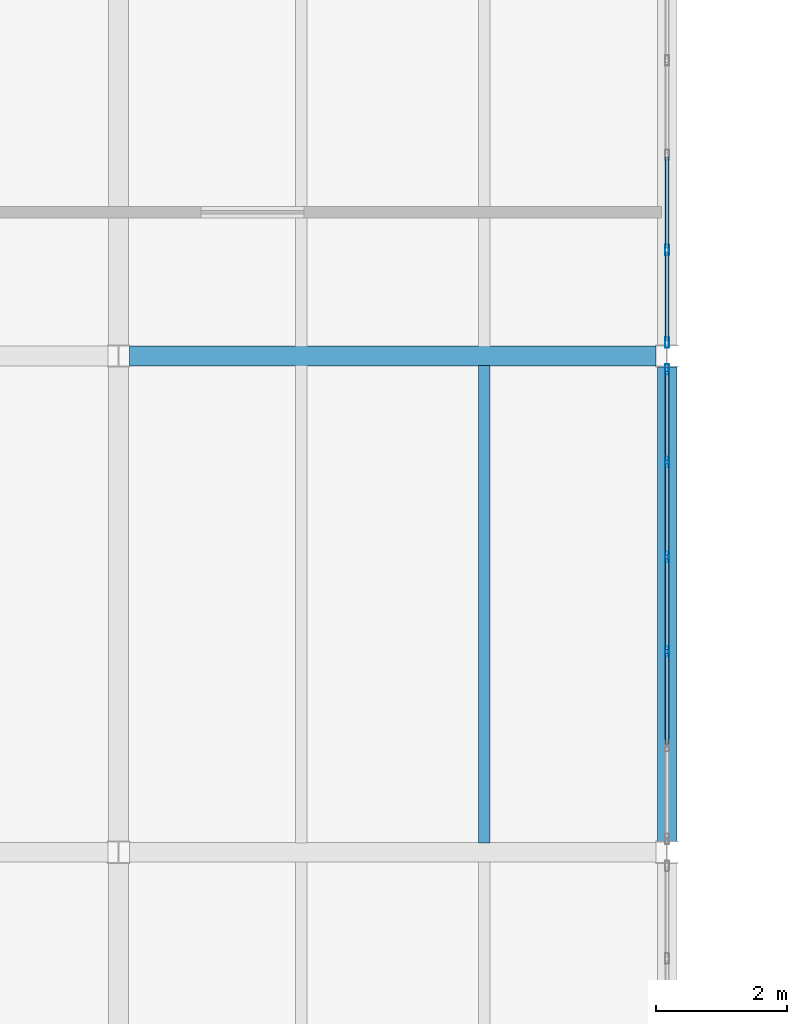
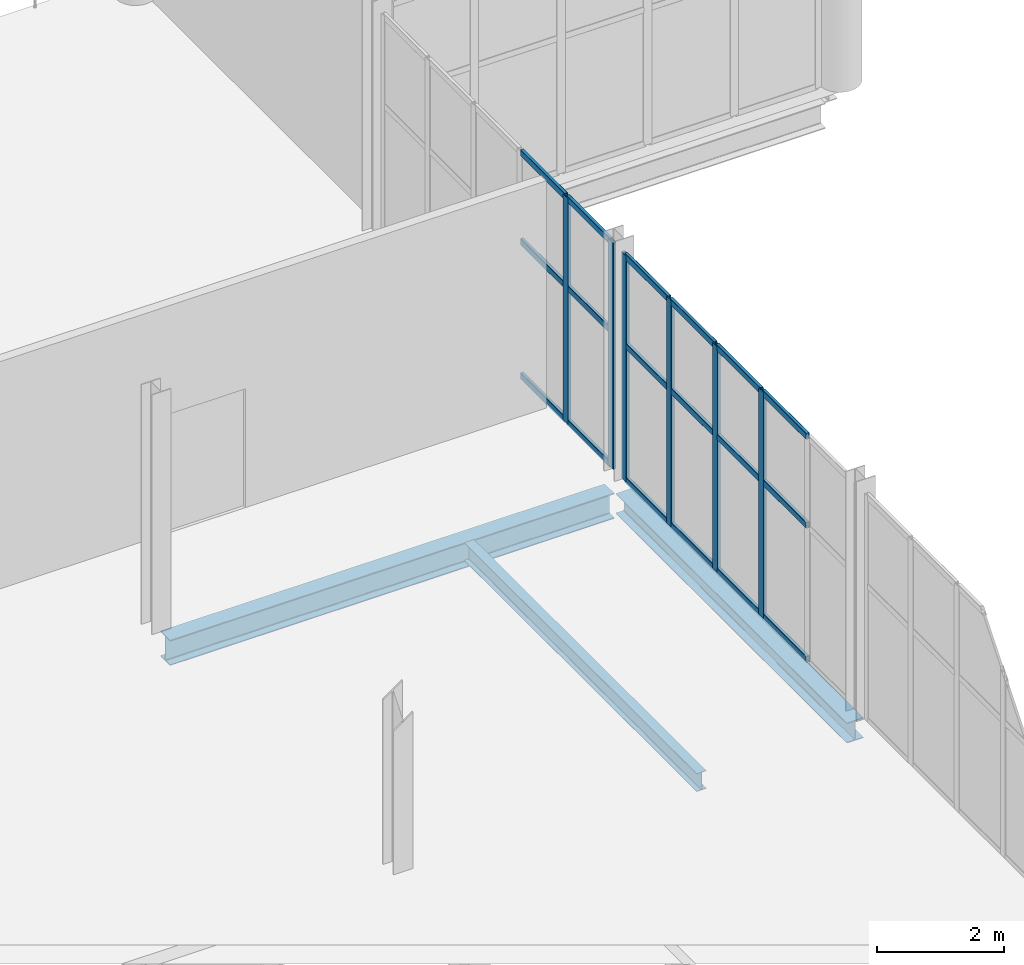
# One storey, part 15 of 74: 24 members, 3 beams, 2 elements without a shape of their own.
"""IFC4 building model written with IfcOpenShell, lengths in metres."""

from ifc_helpers import new_model, si_unit, direction, frame, origin, origin_2d, place, context, subcontext, project, spatial, hollow_rectangle, i_section, extrude, material, material_profile, profile_set, type_object, element, aggregate, save


model = new_model("IFC4")

# Units and contexts
model_context = context("Model", 3, precision=1e-05, world=origin(), true_north=direction((0.0, 1.0)))
body_context = subcontext(model_context, "Body", "Model", "MODEL_VIEW")
ifc_project = project(units=[si_unit("LENGTHUNIT", "METRE"), si_unit("AREAUNIT", "SQUARE_METRE"), si_unit("VOLUMEUNIT", "CUBIC_METRE"), si_unit("PLANEANGLEUNIT", "RADIAN"), si_unit("MASSUNIT", "GRAM", prefix="KILO")], contexts=[model_context])

# Site, building, storey
site_placement = place(None, origin())
site = spatial("IfcSite", under=ifc_project, at=site_placement, CompositionType="ELEMENT")
building_placement = place(site_placement, origin())
building = spatial("IfcBuilding", under=site, at=building_placement, Name="Shengluoqiao Park Theatre", CompositionType="ELEMENT")
storey_placement = place(building_placement, frame((0.0, 0.0, 14.60009765625)))
storey = spatial("IfcBuildingStorey", under=building, at=storey_placement, Name="L03", CompositionType="ELEMENT", Elevation=14.60009765625)

# Curtain wall, members
ifc_material_1 = material(Name="Aluminium 6063-T6", Category="aluminium")
curtain_wall_type = type_object("IfcCurtainWallType", Name="ENV-CW-COURT", PredefinedType="NOTDEFINED", material=ifc_material_1)
curtain_wall_1_placement = place(storey_placement, origin())
curtain_wall_1 = element("IfcCurtainWall", 1, at=curtain_wall_1_placement, inside=storey, type_object=curtain_wall_type, Name="L03 Curtain Wall CWX-L03-0034", PredefinedType="NOTDEFINED")
ifc_material_profile_1 = material_profile(ifc_material_1, hollow_rectangle(XDim=0.06005859375, YDim=0.159912109375, WallThickness=0.00390625, InnerFilletRadius=0.00390625, OuterFilletRadius=0.008056640625, at=origin_2d()), Name="ALU MULLION 160x60x4")
ifc_profile_set_1 = profile_set([ifc_material_profile_1], Name="Aluminium 6063-T6")
member_type_1 = type_object("IfcMemberType", Name="ENV-MUL-160", PredefinedType="MULLION", material=ifc_profile_set_1)
member_1_placement = place(storey_placement, frame((36.0, 41.0751953125, 0.0), z_axis=(0.0, 0.0, 1.0), x_axis=(-1.0, 0.0, 0.0)))
member_1 = element("IfcMember", 2, at=member_1_placement, type_object=member_type_1, Name="CW-05 mullion 3", PredefinedType="MULLION", context=body_context, shape_type="SweptSolid", body=[
    extrude(hollow_rectangle(XDim=0.06005859375, YDim=0.159912109375, WallThickness=0.00390625, InnerFilletRadius=0.00390625, OuterFilletRadius=0.008056640625, at=origin_2d()), origin(), (0.0, 0.0, 1.0), 4.33984375),
])
member_2_placement = place(storey_placement, frame((36.0, 42.52490234375, 0.0), z_axis=(0.0, 0.0, 1.0), x_axis=(-1.0, 0.0, 0.0)))
member_2 = element("IfcMember", 3, at=member_2_placement, type_object=member_type_1, Name="CW-05 mullion 4", PredefinedType="MULLION", context=body_context, shape_type="SweptSolid", body=[
    extrude(hollow_rectangle(XDim=0.06005859375, YDim=0.159912109375, WallThickness=0.00390625, InnerFilletRadius=0.00390625, OuterFilletRadius=0.008056640625, at=origin_2d()), origin(), (0.0, 0.0, 1.0), 4.33984375),
])
member_3_placement = place(storey_placement, frame((36.0, 43.974365234375, 0.0), z_axis=(0.0, 0.0, 1.0), x_axis=(-1.0, 0.0, 0.0)))
member_3 = element("IfcMember", 4, at=member_3_placement, type_object=member_type_1, Name="CW-05 mullion 5", PredefinedType="MULLION", context=body_context, shape_type="SweptSolid", body=[
    extrude(hollow_rectangle(XDim=0.06005859375, YDim=0.159912109375, WallThickness=0.00390625, InnerFilletRadius=0.00390625, OuterFilletRadius=0.008056640625, at=origin_2d()), origin(), (0.0, 0.0, 1.0), 4.33984375),
])
member_4_placement = place(storey_placement, frame((36.0, 45.39404296875, 0.0), z_axis=(0.0, 0.0, 1.0), x_axis=(-1.0, 0.0, 0.0)))
member_4 = element("IfcMember", 5, at=member_4_placement, type_object=member_type_1, Name="CW-05 mullion 6", PredefinedType="MULLION", context=body_context, shape_type="SweptSolid", body=[
    extrude(hollow_rectangle(XDim=0.06005859375, YDim=0.159912109375, WallThickness=0.00390625, InnerFilletRadius=0.00390625, OuterFilletRadius=0.008056640625, at=origin_2d()), origin(), (0.0, 0.0, 1.0), 4.33984375),
])

curtain_wall_2_placement = place(storey_placement, origin())
curtain_wall_2 = element("IfcCurtainWall", 6, at=curtain_wall_2_placement, inside=storey, type_object=curtain_wall_type, Name="L03 Curtain Wall CWX-L03-0035", PredefinedType="NOTDEFINED")
member_5_placement = place(storey_placement, frame((36.0, 45.805908203125, 0.0), z_axis=(0.0, 0.0, 1.0), x_axis=(-1.0, 0.0, 0.0)))
member_5 = element("IfcMember", 7, at=member_5_placement, type_object=member_type_1, Name="CW-05 mullion 1", PredefinedType="MULLION", context=body_context, shape_type="SweptSolid", body=[
    extrude(hollow_rectangle(XDim=0.06005859375, YDim=0.159912109375, WallThickness=0.00390625, InnerFilletRadius=0.00390625, OuterFilletRadius=0.008056640625, at=origin_2d()), origin(), (0.0, 0.0, 1.0), 4.33984375),
])
member_6_placement = place(storey_placement, frame((36.0, 47.2255859375, 0.0), z_axis=(0.0, 0.0, 1.0), x_axis=(-1.0, 0.0, 0.0)))
member_6 = element("IfcMember", 8, at=member_6_placement, type_object=member_type_1, Name="CW-05 mullion 2", PredefinedType="MULLION", context=body_context, shape_type="SweptSolid", body=[
    extrude(hollow_rectangle(XDim=0.06005859375, YDim=0.159912109375, WallThickness=0.00390625, InnerFilletRadius=0.00390625, OuterFilletRadius=0.008056640625, at=origin_2d()), origin(), (0.0, 0.0, 1.0), 4.33984375),
])

# Member
ifc_material_profile_2 = material_profile(ifc_material_1, hollow_rectangle(XDim=0.06005859375, YDim=0.1201171875, WallThickness=0.00390625, InnerFilletRadius=0.00390625, OuterFilletRadius=0.008056640625, at=origin_2d()), Name="ALU TRANSOM 120x60x4")
ifc_profile_set_2 = profile_set([ifc_material_profile_2], Name="Aluminium 6063-T6")
member_type_2 = type_object("IfcMemberType", Name="ENV-TRN-120", PredefinedType="USERDEFINED", material=ifc_profile_set_2)
member_7_placement = place(storey_placement, frame((36.0, 39.655517578125, 0.02978515625), z_axis=(0.0, 1.0, 0.0), x_axis=(-1.0, 0.0, 0.0)))
member_7 = element("IfcMember", 9, at=member_7_placement, type_object=member_type_2, Name="CW-05 transom 2.1", ObjectType="TRANSOM", PredefinedType="USERDEFINED", context=body_context, shape_type="SweptSolid", body=[
    extrude(hollow_rectangle(XDim=0.06005859375, YDim=0.1201171875, WallThickness=0.00390625, InnerFilletRadius=0.00390625, OuterFilletRadius=0.008056640625, at=origin_2d()), origin(), (0.0, 0.0, 1.0), 1.3896484375),
])

member_8_placement = place(storey_placement, frame((36.0, 39.655517578125, 2.60400390625), z_axis=(0.0, 1.0, 0.0), x_axis=(-1.0, 0.0, 0.0)))
member_8 = element("IfcMember", 10, at=member_8_placement, type_object=member_type_2, Name="CW-05 transom 2.2", ObjectType="TRANSOM", PredefinedType="USERDEFINED", context=body_context, shape_type="SweptSolid", body=[
    extrude(hollow_rectangle(XDim=0.06005859375, YDim=0.1201171875, WallThickness=0.00390625, InnerFilletRadius=0.00390625, OuterFilletRadius=0.008056640625, at=origin_2d()), origin(), (0.0, 0.0, 1.0), 1.3896484375),
])

member_9_placement = place(storey_placement, frame((36.0, 39.655517578125, 4.309814453125), z_axis=(0.0, 1.0, 0.0), x_axis=(-1.0, 0.0, 0.0)))
member_9 = element("IfcMember", 11, at=member_9_placement, type_object=member_type_2, Name="CW-05 transom 2.3", ObjectType="TRANSOM", PredefinedType="USERDEFINED", context=body_context, shape_type="SweptSolid", body=[
    extrude(hollow_rectangle(XDim=0.06005859375, YDim=0.1201171875, WallThickness=0.00390625, InnerFilletRadius=0.00390625, OuterFilletRadius=0.008056640625, at=origin_2d()), origin(), (0.0, 0.0, 1.0), 1.3896484375),
])

member_10_placement = place(storey_placement, frame((36.0, 41.105224609375, 0.02978515625), z_axis=(0.0, 1.0, 0.0), x_axis=(-1.0, 0.0, 0.0)))
member_10 = element("IfcMember", 12, at=member_10_placement, type_object=member_type_2, Name="CW-05 transom 3.1", ObjectType="TRANSOM", PredefinedType="USERDEFINED", context=body_context, shape_type="SweptSolid", body=[
    extrude(hollow_rectangle(XDim=0.06005859375, YDim=0.1201171875, WallThickness=0.00390625, InnerFilletRadius=0.00390625, OuterFilletRadius=0.008056640625, at=origin_2d()), origin(), (0.0, 0.0, 1.0), 1.3896484375),
])

member_11_placement = place(storey_placement, frame((36.0, 41.105224609375, 2.60400390625), z_axis=(0.0, 1.0, 0.0), x_axis=(-1.0, 0.0, 0.0)))
member_11 = element("IfcMember", 13, at=member_11_placement, type_object=member_type_2, Name="CW-05 transom 3.2", ObjectType="TRANSOM", PredefinedType="USERDEFINED", context=body_context, shape_type="SweptSolid", body=[
    extrude(hollow_rectangle(XDim=0.06005859375, YDim=0.1201171875, WallThickness=0.00390625, InnerFilletRadius=0.00390625, OuterFilletRadius=0.008056640625, at=origin_2d()), origin(), (0.0, 0.0, 1.0), 1.3896484375),
])

member_12_placement = place(storey_placement, frame((36.0, 41.105224609375, 4.309814453125), z_axis=(0.0, 1.0, 0.0), x_axis=(-1.0, 0.0, 0.0)))
member_12 = element("IfcMember", 14, at=member_12_placement, type_object=member_type_2, Name="CW-05 transom 3.3", ObjectType="TRANSOM", PredefinedType="USERDEFINED", context=body_context, shape_type="SweptSolid", body=[
    extrude(hollow_rectangle(XDim=0.06005859375, YDim=0.1201171875, WallThickness=0.00390625, InnerFilletRadius=0.00390625, OuterFilletRadius=0.008056640625, at=origin_2d()), origin(), (0.0, 0.0, 1.0), 1.3896484375),
])

member_13_placement = place(storey_placement, frame((36.0, 42.5546875, 0.02978515625), z_axis=(0.0, 1.0, 0.0), x_axis=(-1.0, 0.0, 0.0)))
member_13 = element("IfcMember", 15, at=member_13_placement, type_object=member_type_2, Name="CW-05 transom 4.1", ObjectType="TRANSOM", PredefinedType="USERDEFINED", context=body_context, shape_type="SweptSolid", body=[
    extrude(hollow_rectangle(XDim=0.06005859375, YDim=0.1201171875, WallThickness=0.00390625, InnerFilletRadius=0.00390625, OuterFilletRadius=0.008056640625, at=origin_2d()), origin(), (0.0, 0.0, 1.0), 1.3896484375),
])

member_14_placement = place(storey_placement, frame((36.0, 42.5546875, 2.60400390625), z_axis=(0.0, 1.0, 0.0), x_axis=(-1.0, 0.0, 0.0)))
member_14 = element("IfcMember", 16, at=member_14_placement, type_object=member_type_2, Name="CW-05 transom 4.2", ObjectType="TRANSOM", PredefinedType="USERDEFINED", context=body_context, shape_type="SweptSolid", body=[
    extrude(hollow_rectangle(XDim=0.06005859375, YDim=0.1201171875, WallThickness=0.00390625, InnerFilletRadius=0.00390625, OuterFilletRadius=0.008056640625, at=origin_2d()), origin(), (0.0, 0.0, 1.0), 1.3896484375),
])

member_15_placement = place(storey_placement, frame((36.0, 42.5546875, 4.309814453125), z_axis=(0.0, 1.0, 0.0), x_axis=(-1.0, 0.0, 0.0)))
member_15 = element("IfcMember", 17, at=member_15_placement, type_object=member_type_2, Name="CW-05 transom 4.3", ObjectType="TRANSOM", PredefinedType="USERDEFINED", context=body_context, shape_type="SweptSolid", body=[
    extrude(hollow_rectangle(XDim=0.06005859375, YDim=0.1201171875, WallThickness=0.00390625, InnerFilletRadius=0.00390625, OuterFilletRadius=0.008056640625, at=origin_2d()), origin(), (0.0, 0.0, 1.0), 1.3896484375),
])

member_16_placement = place(storey_placement, frame((36.0, 44.00439453125, 0.02978515625), z_axis=(0.0, 1.0, 0.0), x_axis=(-1.0, 0.0, 0.0)))
member_16 = element("IfcMember", 18, at=member_16_placement, type_object=member_type_2, Name="CW-05 transom 5.1", ObjectType="TRANSOM", PredefinedType="USERDEFINED", context=body_context, shape_type="SweptSolid", body=[
    extrude(hollow_rectangle(XDim=0.06005859375, YDim=0.1201171875, WallThickness=0.00390625, InnerFilletRadius=0.00390625, OuterFilletRadius=0.008056640625, at=origin_2d()), origin(), (0.0, 0.0, 1.0), 1.359619140625),
])

member_17_placement = place(storey_placement, frame((36.0, 44.00439453125, 2.60400390625), z_axis=(0.0, 1.0, 0.0), x_axis=(-1.0, 0.0, 0.0)))
member_17 = element("IfcMember", 19, at=member_17_placement, type_object=member_type_2, Name="CW-05 transom 5.2", ObjectType="TRANSOM", PredefinedType="USERDEFINED", context=body_context, shape_type="SweptSolid", body=[
    extrude(hollow_rectangle(XDim=0.06005859375, YDim=0.1201171875, WallThickness=0.00390625, InnerFilletRadius=0.00390625, OuterFilletRadius=0.008056640625, at=origin_2d()), origin(), (0.0, 0.0, 1.0), 1.359619140625),
])

member_18_placement = place(storey_placement, frame((36.0, 44.00439453125, 4.309814453125), z_axis=(0.0, 1.0, 0.0), x_axis=(-1.0, 0.0, 0.0)))
member_18 = element("IfcMember", 20, at=member_18_placement, type_object=member_type_2, Name="CW-05 transom 5.3", ObjectType="TRANSOM", PredefinedType="USERDEFINED", context=body_context, shape_type="SweptSolid", body=[
    extrude(hollow_rectangle(XDim=0.06005859375, YDim=0.1201171875, WallThickness=0.00390625, InnerFilletRadius=0.00390625, OuterFilletRadius=0.008056640625, at=origin_2d()), origin(), (0.0, 0.0, 1.0), 1.359619140625),
])

aggregate(curtain_wall_1, [member_1, member_2, member_3, member_4, member_7, member_8, member_9, member_10, member_11, member_12, member_13, member_14, member_15, member_16, member_17, member_18])

member_19_placement = place(storey_placement, frame((36.0, 45.8359375, 0.02978515625), z_axis=(0.0, 1.0, 0.0), x_axis=(-1.0, 0.0, 0.0)))
member_19 = element("IfcMember", 21, at=member_19_placement, type_object=member_type_2, Name="CW-05 transom 1.1", ObjectType="TRANSOM", PredefinedType="USERDEFINED", context=body_context, shape_type="SweptSolid", body=[
    extrude(hollow_rectangle(XDim=0.06005859375, YDim=0.1201171875, WallThickness=0.00390625, InnerFilletRadius=0.00390625, OuterFilletRadius=0.008056640625, at=origin_2d()), origin(), (0.0, 0.0, 1.0), 1.359619140625),
])

member_20_placement = place(storey_placement, frame((36.0, 45.8359375, 2.60400390625), z_axis=(0.0, 1.0, 0.0), x_axis=(-1.0, 0.0, 0.0)))
member_20 = element("IfcMember", 22, at=member_20_placement, type_object=member_type_2, Name="CW-05 transom 1.2", ObjectType="TRANSOM", PredefinedType="USERDEFINED", context=body_context, shape_type="SweptSolid", body=[
    extrude(hollow_rectangle(XDim=0.06005859375, YDim=0.1201171875, WallThickness=0.00390625, InnerFilletRadius=0.00390625, OuterFilletRadius=0.008056640625, at=origin_2d()), origin(), (0.0, 0.0, 1.0), 1.359619140625),
])

member_21_placement = place(storey_placement, frame((36.0, 45.8359375, 4.309814453125), z_axis=(0.0, 1.0, 0.0), x_axis=(-1.0, 0.0, 0.0)))
member_21 = element("IfcMember", 23, at=member_21_placement, type_object=member_type_2, Name="CW-05 transom 1.3", ObjectType="TRANSOM", PredefinedType="USERDEFINED", context=body_context, shape_type="SweptSolid", body=[
    extrude(hollow_rectangle(XDim=0.06005859375, YDim=0.1201171875, WallThickness=0.00390625, InnerFilletRadius=0.00390625, OuterFilletRadius=0.008056640625, at=origin_2d()), origin(), (0.0, 0.0, 1.0), 1.359619140625),
])

member_22_placement = place(storey_placement, frame((36.0, 47.255615234375, 0.02978515625), z_axis=(0.0, 1.0, 0.0), x_axis=(-1.0, 0.0, 0.0)))
member_22 = element("IfcMember", 24, at=member_22_placement, type_object=member_type_2, Name="CW-05 transom 2.1", ObjectType="TRANSOM", PredefinedType="USERDEFINED", context=body_context, shape_type="SweptSolid", body=[
    extrude(hollow_rectangle(XDim=0.06005859375, YDim=0.1201171875, WallThickness=0.00390625, InnerFilletRadius=0.00390625, OuterFilletRadius=0.008056640625, at=origin_2d()), origin(), (0.0, 0.0, 1.0), 1.3896484375),
])

member_23_placement = place(storey_placement, frame((36.0, 47.255615234375, 2.60400390625), z_axis=(0.0, 1.0, 0.0), x_axis=(-1.0, 0.0, 0.0)))
member_23 = element("IfcMember", 25, at=member_23_placement, type_object=member_type_2, Name="CW-05 transom 2.2", ObjectType="TRANSOM", PredefinedType="USERDEFINED", context=body_context, shape_type="SweptSolid", body=[
    extrude(hollow_rectangle(XDim=0.06005859375, YDim=0.1201171875, WallThickness=0.00390625, InnerFilletRadius=0.00390625, OuterFilletRadius=0.008056640625, at=origin_2d()), origin(), (0.0, 0.0, 1.0), 1.3896484375),
])

member_24_placement = place(storey_placement, frame((36.0, 47.255615234375, 4.309814453125), z_axis=(0.0, 1.0, 0.0), x_axis=(-1.0, 0.0, 0.0)))
member_24 = element("IfcMember", 26, at=member_24_placement, type_object=member_type_2, Name="CW-05 transom 2.3", ObjectType="TRANSOM", PredefinedType="USERDEFINED", context=body_context, shape_type="SweptSolid", body=[
    extrude(hollow_rectangle(XDim=0.06005859375, YDim=0.1201171875, WallThickness=0.00390625, InnerFilletRadius=0.00390625, OuterFilletRadius=0.008056640625, at=origin_2d()), origin(), (0.0, 0.0, 1.0), 1.3896484375),
])

aggregate(curtain_wall_2, [member_5, member_6, member_19, member_20, member_21, member_22, member_23, member_24])

# Beams
ifc_material_2 = material(Name="Steel Q355", Category="steel")
ifc_material_profile_3 = material_profile(ifc_material_2, i_section(OverallWidth=0.300048828125, OverallDepth=0.389892578125, WebThickness=0.010009765625, FlangeThickness=0.01611328125, FilletRadius=0.01806640625, at=origin_2d()), Name="HM 390x300x10x16")
ifc_profile_set_3 = profile_set([ifc_material_profile_3], Name="Steel Q355")
beam_type_1 = type_object("IfcBeamType", Name="STR-BM-G-HM390", PredefinedType="BEAM", material=ifc_profile_set_3)
beam_1_placement = place(storey_placement, frame((36.0, 38.166015625, -0.43505859375), z_axis=(0.0, 1.0, 0.0), x_axis=(-1.0, 0.0, 0.0)))
element("IfcBeam", 27, at=beam_1_placement, inside=storey, type_object=beam_type_1, Name="L03 Transverse Girder 01301", PredefinedType="BEAM", context=body_context, shape_type="SweptSolid", body=[
    extrude(i_section(OverallWidth=0.300048828125, OverallDepth=0.389892578125, WebThickness=0.010009765625, FlangeThickness=0.01611328125, FilletRadius=0.01806640625, at=origin_2d()), origin(), (0.0, 0.0, 1.0), 7.26806640625),
])
ifc_material_profile_4 = material_profile(ifc_material_2, i_section(OverallWidth=0.300048828125, OverallDepth=0.488037109375, WebThickness=0.010986328125, FlangeThickness=0.01806640625, FilletRadius=0.02197265625, at=origin_2d()), Name="HM 488x300x11x18")
ifc_profile_set_4 = profile_set([ifc_material_profile_4], Name="Steel Q355")
beam_type_2 = type_object("IfcBeamType", Name="STR-BM-G-HM488", PredefinedType="BEAM", material=ifc_profile_set_4)
beam_2_placement = place(storey_placement, frame((27.76806640625, 45.60009765625, -0.484130859375), z_axis=(1.0, 0.0, 0.0), x_axis=(0.0, 1.0, 0.0)))
element("IfcBeam", 28, at=beam_2_placement, inside=storey, type_object=beam_type_2, Name="L03 Primary Girder 01295", PredefinedType="BEAM", context=body_context, shape_type="SweptSolid", body=[
    extrude(i_section(OverallWidth=0.300048828125, OverallDepth=0.488037109375, WebThickness=0.010986328125, FlangeThickness=0.01806640625, FilletRadius=0.02197265625, at=origin_2d()), origin(), (0.0, 0.0, 1.0), 8.06396484375),
])
ifc_material_profile_5 = material_profile(ifc_material_2, i_section(OverallWidth=0.175048828125, OverallDepth=0.35009765625, WebThickness=0.007080078125, FlangeThickness=0.010986328125, FilletRadius=0.013916015625, at=origin_2d()), Name="HN 350x175x7x11")
ifc_profile_set_5 = profile_set([ifc_material_profile_5], Name="Steel Q355")
beam_type_3 = type_object("IfcBeamType", Name="STR-BM-J-HN350", PredefinedType="JOIST", material=ifc_profile_set_5)
beam_3_placement = place(storey_placement, frame((33.199951171875, 38.14501953125, -0.4150390625), z_axis=(0.0, 1.0, 0.0), x_axis=(-1.0, 0.0, 0.0)))
element("IfcBeam", 29, at=beam_3_placement, inside=storey, type_object=beam_type_3, Name="L03 Composite Joist 01306", PredefinedType="JOIST", context=body_context, shape_type="SweptSolid", body=[
    extrude(i_section(OverallWidth=0.175048828125, OverallDepth=0.35009765625, WebThickness=0.007080078125, FlangeThickness=0.010986328125, FilletRadius=0.013916015625, at=origin_2d()), origin(), (0.0, 0.0, 1.0), 7.31005859375),
])

save(model, "model.ifc")
